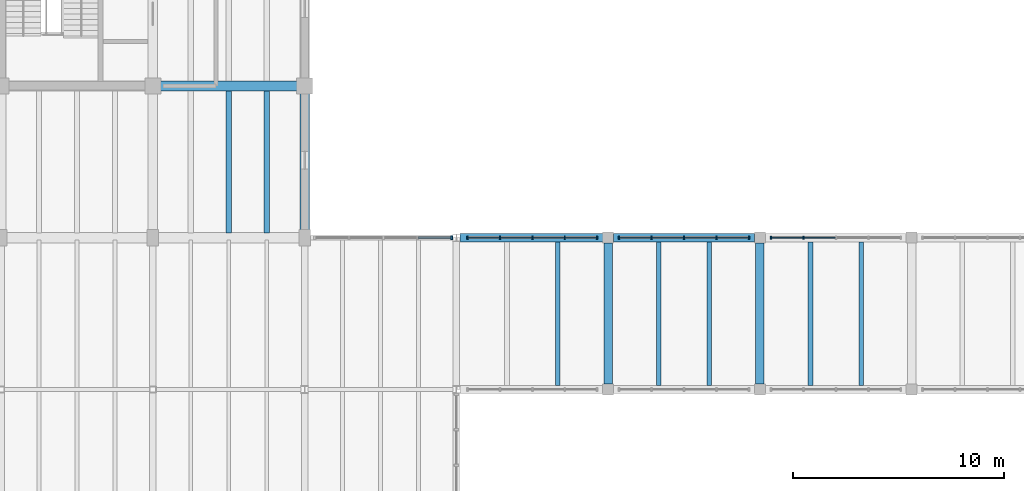
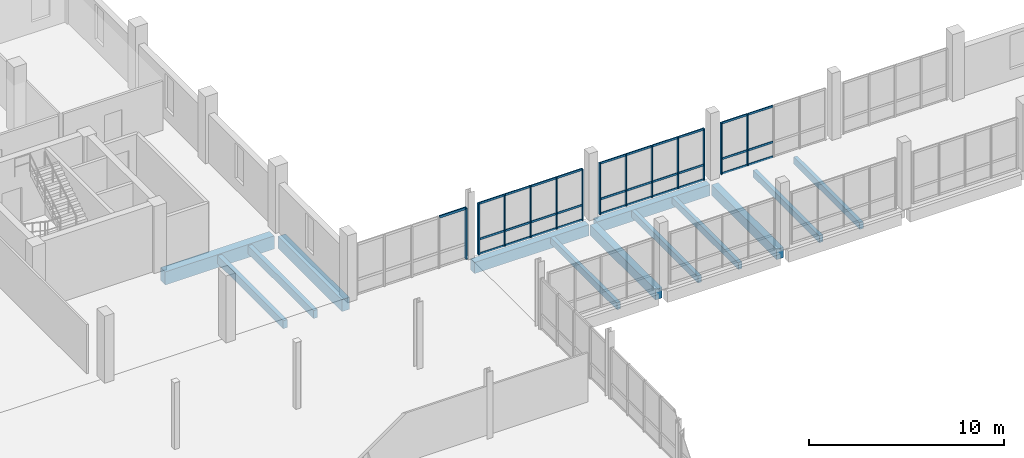
# One storey, part 35 of 72: 44 members, 13 beams, 4 elements without a shape of their own.
"""IFC4 building model written with IfcOpenShell, lengths in metres."""

import ifcopenshell
import ifcopenshell.guid

model = None  # the IFC model being written
_history = None  # IfcOwnerHistory: only IFC2X3 demands one
_inside = {}  # id of a spatial element -> (the spatial element, [elements in it])
_under = {}  # id of a project, library or spatial element -> (it, [spatial elements below it])
_declared = {}  # id of a project -> (the project, [libraries it declares])
_typed = {}  # id of a type object -> (the type object, [elements of that type])
_made_of = {}  # id of a material, layer set ... -> (it, [elements and type objects made of it])


def new_model(schema):
    """Start an empty IFC model of exactly this schema.

    Asked for "IFC4X3", IfcOpenShell would pick the latest addendum, in which some entities
    have other attributes; the version numbers below select the first issue.
    IFC2X3 requires an IfcOwnerHistory on every rooted entity: one is made here for all.
    """
    global model, _history
    if schema == "IFC4X3":
        model = ifcopenshell.file(schema_version=(4, 3, 0, 0))
    else:
        model = ifcopenshell.file(schema=schema)
    _inside.clear()
    _under.clear()
    _declared.clear()
    _typed.clear()
    _made_of.clear()
    _history = None
    if model.schema == "IFC2X3":
        org = make("IfcOrganization", Name="unknown")
        user = make(
            "IfcPersonAndOrganization",
            ThePerson=make("IfcPerson", FamilyName="unknown"),
            TheOrganization=org,
        )
        app = make(
            "IfcApplication",
            ApplicationDeveloper=org,
            Version="unknown",
            ApplicationFullName="unknown",
            ApplicationIdentifier="unknown",
        )
        _history = make(
            "IfcOwnerHistory",
            OwningUser=user,
            OwningApplication=app,
            ChangeAction="ADDED",
            CreationDate=0,
        )
    return model


def make(cls, **values):
    """One entity of the class cls with the attributes given. An attribute that is None is left unset."""
    return model.create_entity(
        cls, **{name: value for name, value in values.items() if value is not None}
    )


def rooted(cls, **values):
    """An entity with a GlobalId (a new one), such as an element, a storey or a relation."""
    return make(cls, GlobalId=ifcopenshell.guid.new(), OwnerHistory=_history, **values)


def si_unit(unit_type, name, prefix=None):
    """IfcSIUnit, for example si_unit("LENGTHUNIT", "METRE", prefix="MILLI")."""
    return make("IfcSIUnit", UnitType=unit_type, Prefix=prefix, Name=name)


def assignment(units):
    """IfcUnitAssignment: the units of a project."""
    return None if units is None else make("IfcUnitAssignment", Units=units)


def point(xyz):
    """IfcCartesianPoint."""
    return None if xyz is None else make("IfcCartesianPoint", Coordinates=xyz)


def direction(xyz):
    """IfcDirection."""
    return None if xyz is None else make("IfcDirection", DirectionRatios=xyz)


def frame(location, z_axis=None, x_axis=None):
    """IfcAxis2Placement3D, a coordinate frame: its origin and axes. An axis left out is left unset."""
    return make(
        "IfcAxis2Placement3D",
        Location=point(location),
        Axis=direction(z_axis),
        RefDirection=direction(x_axis),
    )


def frame_2d(location, x_axis=None):
    """IfcAxis2Placement2D, a coordinate frame in the plane: its origin and x axis."""
    return make(
        "IfcAxis2Placement2D", Location=point(location), RefDirection=direction(x_axis)
    )


def origin():
    """The frame at (0, 0, 0) with its axes left unset."""
    return frame((0.0, 0.0, 0.0))


def origin_2d():
    """The frame at (0, 0) in the plane with its x axis left unset."""
    return frame_2d((0.0, 0.0))


def place(relative_to, where):
    """IfcLocalPlacement: puts the frame where relative to a parent placement (None: the world)."""
    return make(
        "IfcLocalPlacement", PlacementRelTo=relative_to, RelativePlacement=where
    )


def context(
    kind, dimensions, precision=None, world=None, true_north=None, identifier=None
):
    """IfcGeometricRepresentationContext, for example the 3D "Model" context."""
    return make(
        "IfcGeometricRepresentationContext",
        ContextIdentifier=identifier,
        ContextType=kind,
        CoordinateSpaceDimension=dimensions,
        Precision=precision,
        WorldCoordinateSystem=world,
        TrueNorth=true_north,
    )


def subcontext(parent, identifier, kind, view, scale=None):
    """IfcGeometricRepresentationSubContext, for example "Body" below "Model"."""
    return make(
        "IfcGeometricRepresentationSubContext",
        ContextIdentifier=identifier,
        ContextType=kind,
        ParentContext=parent,
        TargetScale=scale,
        TargetView=view,
    )


def project(units=None, contexts=None):
    """IfcProject with its units and contexts."""
    return rooted(
        "IfcProject",
        Name="project",
        RepresentationContexts=contexts,
        UnitsInContext=assignment(units),
    )


def spatial(cls, under=None, at=None, **own):
    """A site, building, storey or space (cls), placed at a placement, below another one or the project."""
    s = rooted(cls, ObjectPlacement=at, **own)
    if under is not None:
        _under.setdefault(under.id(), (under, []))[1].append(s)
    return s


def profile(cls, at=None, kind="AREA", **sizes):
    """A parametric profile (cls). Its sizes go by their IFC names, for example OverallWidth=200.0."""
    return make(cls, ProfileType=kind, Position=at, **sizes)


def rectangle(**sizes):
    """IfcRectangleProfileDef."""
    return profile("IfcRectangleProfileDef", **sizes)


def extrude(swept, where, along, depth):
    """IfcExtrudedAreaSolid: the profile swept, set in the frame where, extruded along a direction by depth."""
    return make(
        "IfcExtrudedAreaSolid",
        SweptArea=swept,
        Position=where,
        ExtrudedDirection=direction(along),
        Depth=depth,
    )


def shape(context_of_items, identifier, shape_type, items):
    """IfcShapeRepresentation: the items that make up one representation, for example the "Body"."""
    return make(
        "IfcShapeRepresentation",
        ContextOfItems=context_of_items,
        RepresentationIdentifier=identifier,
        RepresentationType=shape_type,
        Items=items,
    )


def material(Name=None, Category=None):
    """IfcMaterial."""
    return make("IfcMaterial", Name=Name, Category=Category)


def material_profile(
    of_material, cross_section, Name=None, Category=None, Priority=None
):
    """IfcMaterialProfile: a cross section and its material."""
    return make(
        "IfcMaterialProfile",
        Name=Name,
        Material=of_material,
        Profile=cross_section,
        Priority=Priority,
        Category=Category,
    )


def profile_set(profiles, Name=None, composite=None):
    """IfcMaterialProfileSet."""
    return make(
        "IfcMaterialProfileSet",
        Name=Name,
        MaterialProfiles=profiles,
        CompositeProfile=composite,
    )


def made_of(thing, what):
    """Note that an element or type object is made of a material, layer set ...; save() writes the relation."""
    if what is not None:
        _made_of.setdefault(what.id(), (what, []))[1].append(thing)
    return thing


def type_object(cls, material=None, **own):
    """A type object (cls), such as IfcWallType, which elements share."""
    return made_of(rooted(cls, **own), material)


def element(
    cls,
    number,
    at=None,
    inside=None,
    cuts=None,
    type_object=None,
    material=None,
    context=None,
    identifier="Body",
    shape_type=None,
    held_by="IfcProductDefinitionShape",
    body=None,
    shapes=None,
    **own,
):
    """One element of the class cls, such as IfcWall. Its Tag is "e" and its number.

    at: its placement. inside: the storey or other place that contains it. cuts: it is an
    opening in that element (IfcRelVoidsElement). A single representation is given by context,
    identifier, shape_type and body (its items); several are given by shapes. held_by: the class
    of the entity that holds the representations. save() writes the other relations.
    """
    e = rooted(cls, Tag="e%d" % number, ObjectPlacement=at, **own)
    if body is not None:
        shapes = [shape(context, identifier, shape_type, body)]
    if shapes is not None:
        e.Representation = make(held_by, Representations=shapes)
    if inside is not None:
        _inside.setdefault(inside.id(), (inside, []))[1].append(e)
    if cuts is not None:
        rooted(
            "IfcRelVoidsElement", RelatingBuildingElement=cuts, RelatedOpeningElement=e
        )
    if type_object is not None:
        _typed.setdefault(type_object.id(), (type_object, []))[1].append(e)
    return made_of(e, material)


def aggregate(whole, parts):
    """IfcRelAggregates: a whole, such as a stair, and the parts it consists of."""
    return rooted("IfcRelAggregates", RelatingObject=whole, RelatedObjects=parts)


def save(model, path):
    """Write the relations noted so far, then the file.

    IfcRelAggregates (storeys below a building ...), IfcRelContainedInSpatialStructure (elements
    in a storey), IfcRelDefinesByType, IfcRelAssociatesMaterial and IfcRelDeclares: one each for
    every whole, place, type object, material and project.
    """
    for whole, parts in _under.values():
        aggregate(whole, parts)
    for where, things in _inside.values():
        rooted(
            "IfcRelContainedInSpatialStructure",
            RelatedElements=things,
            RelatingStructure=where,
        )
    for kind, things in _typed.values():
        rooted("IfcRelDefinesByType", RelatedObjects=things, RelatingType=kind)
    for what, things in _made_of.values():
        rooted("IfcRelAssociatesMaterial", RelatedObjects=things, RelatingMaterial=what)
    for by, libraries in _declared.values():
        rooted("IfcRelDeclares", RelatingContext=by, RelatedDefinitions=libraries)
    model.write(path)


model = new_model("IFC4")

# Units and contexts
model_context = context("Model", 3, precision=1e-05, world=origin(), true_north=direction((0.0, 1.0)))
body_context = subcontext(model_context, "Body", "Model", "MODEL_VIEW")
ifc_project = project(units=[si_unit("LENGTHUNIT", "METRE"), si_unit("AREAUNIT", "SQUARE_METRE"), si_unit("VOLUMEUNIT", "CUBIC_METRE"), si_unit("PLANEANGLEUNIT", "RADIAN"), si_unit("MASSUNIT", "GRAM", prefix="KILO")], contexts=[model_context])

# Site, building, storey
site_placement = place(None, origin())
site = spatial("IfcSite", under=ifc_project, at=site_placement, CompositionType="ELEMENT")
building_placement = place(site_placement, origin())
building = spatial("IfcBuilding", under=site, at=building_placement, Name="Qiaolan Assembly House", CompositionType="ELEMENT")
storey_placement = place(building_placement, frame((0.0, 0.0, 10.199951171875)))
storey = spatial("IfcBuildingStorey", under=building, at=storey_placement, Name="L02", CompositionType="ELEMENT", Elevation=10.199951171875)

# Beams
ifc_material_1 = material(Name="Concrete C40/50", Category="concrete")
ifc_material_profile_1 = material_profile(ifc_material_1, rectangle(XDim=0.39990234375, YDim=0.64990234375, at=origin_2d()), Name="RCB 400x650")
ifc_profile_set_1 = profile_set([ifc_material_profile_1], Name="Concrete C40/50")
beam_type_1 = type_object("IfcBeamType", Name="BM-RC-400x650", PredefinedType="BEAM", material=ifc_profile_set_1)
for number, where, z_axis, x_axis, name in (
    (1, (115.199951171875, 79.449951171875, -0.594970703125), (0.0, 1.0, 0.0), (-1.0, 0.0, 0.0), "GB-06 beam BMY-CLN-L02-01-00"),
    (2, (122.39990234375, 79.449951171875, -0.594970703125), (0.0, 1.0, 0.0), (-1.0, 0.0, 0.0), "GB-06 beam BMY-CLN-L02-02-00"),
):
    element("IfcBeam", number, at=place(storey_placement, frame(where, z_axis=z_axis, x_axis=x_axis)), inside=storey, type_object=beam_type_1, Name=name, PredefinedType="BEAM", context=body_context, shape_type="SweptSolid", body=[
        extrude(rectangle(XDim=0.39990234375, YDim=0.64990234375, at=origin_2d()), origin(), (0.0, 0.0, 1.0), 6.699951171875),
    ])
ifc_material_profile_2 = material_profile(ifc_material_1, rectangle(XDim=0.39990234375, YDim=0.699951171875, at=origin_2d()), Name="RCB 400x700")
ifc_profile_set_2 = profile_set([ifc_material_profile_2], Name="Concrete C40/50")
beam_type_2 = type_object("IfcBeamType", Name="BM-RC-400x700", PredefinedType="BEAM", material=ifc_profile_set_2)
beam_1_placement = place(storey_placement, frame((108.1650390625, 86.39990234375, -0.619873046875), z_axis=(1.0, 0.0, 0.0), x_axis=(0.0, 1.0, 0.0)))
element("IfcBeam", 3, at=beam_1_placement, inside=storey, type_object=beam_type_2, Name="GB-05 beam BMX-CLN-L02-00-01", PredefinedType="BEAM", context=body_context, shape_type="SweptSolid", body=[
    extrude(rectangle(XDim=0.39990234375, YDim=0.699951171875, at=origin_2d()), origin(), (0.0, 0.0, 1.0), 6.784912109375),
])
beam_2_placement = place(storey_placement, frame((115.449951171875, 86.39990234375, -0.619873046875), z_axis=(1.0, 0.0, 0.0), x_axis=(0.0, 1.0, 0.0)))
element("IfcBeam", 4, at=beam_2_placement, inside=storey, type_object=beam_type_2, Name="GB-05 beam BMX-CLN-L02-01-01", PredefinedType="BEAM", context=body_context, shape_type="SweptSolid", body=[
    extrude(rectangle(XDim=0.39990234375, YDim=0.699951171875, at=origin_2d()), origin(), (0.0, 0.0, 1.0), 6.699951171875),
])
ifc_material_profile_3 = material_profile(ifc_material_1, rectangle(XDim=0.449951171875, YDim=0.75, at=origin_2d()), Name="RCB 450x750")
ifc_profile_set_3 = profile_set([ifc_material_profile_3], Name="Concrete C40/50")
beam_type_3 = type_object("IfcBeamType", Name="BM-RC-450x750", PredefinedType="BEAM", material=ifc_profile_set_3)
beam_3_placement = place(storey_placement, frame((100.800048828125, 86.6650390625, -0.60498046875), z_axis=(0.0, 1.0, 0.0), x_axis=(-1.0, 0.0, 0.0)))
element("IfcBeam", 5, at=beam_3_placement, inside=storey, type_object=beam_type_3, Name="GB-04 beam BMY-NW-L02-09-00", PredefinedType="BEAM", context=body_context, shape_type="SweptSolid", body=[
    extrude(rectangle(XDim=0.449951171875, YDim=0.75, at=origin_2d()), origin(), (0.0, 0.0, 1.0), 6.570068359375),
])
ifc_material_2 = material(Name="Concrete C45/55", Category="concrete")
ifc_material_profile_4 = material_profile(ifc_material_2, rectangle(XDim=0.47998046875, YDim=0.820068359375, at=origin_2d()), Name="RCB 480x820")
ifc_profile_set_4 = profile_set([ifc_material_profile_4], Name="Concrete C45/55")
beam_type_4 = type_object("IfcBeamType", Name="BM-RC-480x820", PredefinedType="BEAM", material=ifc_profile_set_4)
beam_4_placement = place(storey_placement, frame((93.965087890625, 93.60009765625, -0.639892578125), z_axis=(1.0, 0.0, 0.0), x_axis=(0.0, 1.0, 0.0)))
element("IfcBeam", 6, at=beam_4_placement, inside=storey, type_object=beam_type_4, Name="GB-14 beam BMX-NW-L02-08-01", PredefinedType="BEAM", context=body_context, shape_type="SweptSolid", body=[
    extrude(rectangle(XDim=0.47998046875, YDim=0.820068359375, at=origin_2d()), origin(), (0.0, 0.0, 1.0), 6.469970703125),
])

# Curtain wall, members
ifc_material_3 = material(Name="Anodised bronze aluminium", Category="aluminium")
curtain_wall_type_1 = type_object("IfcCurtainWallType", Name="CW-CLOISTER-420", PredefinedType="NOTDEFINED", material=ifc_material_3)
curtain_wall_1_placement = place(storey_placement, origin())
curtain_wall_1 = element("IfcCurtainWall", 7, at=curtain_wall_1_placement, inside=storey, type_object=curtain_wall_type_1, Name="CW-05 North Cloister outer arcade L02-1", PredefinedType="NOTDEFINED")
ifc_material_profile_5 = material_profile(ifc_material_3, rectangle(XDim=0.070068359375, YDim=0.155029296875, at=origin_2d()), Name="MUL 70x155")
ifc_profile_set_5 = profile_set([ifc_material_profile_5], Name="Anodised bronze aluminium")
member_type_1 = type_object("IfcMemberType", Name="CW-CLOISTER-420-MUL", PredefinedType="MULLION", material=ifc_profile_set_5)
member_1_placement = place(storey_placement, frame((114.679931640625, 86.39990234375, 0.0), z_axis=(0.0, 0.0, 1.0), x_axis=(-1.0, 0.0, 0.0)))
member_1 = element("IfcMember", 8, at=member_1_placement, type_object=member_type_1, Name="ML-06 mullion CW-CLN-OUT-L02-0-1", PredefinedType="MULLION", context=body_context, shape_type="SweptSolid", body=[
    extrude(rectangle(XDim=0.070068359375, YDim=0.155029296875, at=origin_2d()), origin(), (0.0, 0.0, 1.0), 3.219970703125),
])
member_2_placement = place(storey_placement, frame((113.139892578125, 86.39990234375, 0.0), z_axis=(0.0, 0.0, 1.0), x_axis=(-1.0, 0.0, 0.0)))
member_2 = element("IfcMember", 9, at=member_2_placement, type_object=member_type_1, Name="ML-06 mullion CW-CLN-OUT-L02-0-2", PredefinedType="MULLION", context=body_context, shape_type="SweptSolid", body=[
    extrude(rectangle(XDim=0.070068359375, YDim=0.155029296875, at=origin_2d()), origin(), (0.0, 0.0, 1.0), 3.219970703125),
])
member_3_placement = place(storey_placement, frame((111.60009765625, 86.39990234375, 0.0), z_axis=(0.0, 0.0, 1.0), x_axis=(-1.0, 0.0, 0.0)))
member_3 = element("IfcMember", 10, at=member_3_placement, type_object=member_type_1, Name="ML-06 mullion CW-CLN-OUT-L02-0-3", PredefinedType="MULLION", context=body_context, shape_type="SweptSolid", body=[
    extrude(rectangle(XDim=0.070068359375, YDim=0.155029296875, at=origin_2d()), origin(), (0.0, 0.0, 1.0), 3.219970703125),
])
member_4_placement = place(storey_placement, frame((110.06005859375, 86.39990234375, 0.0), z_axis=(0.0, 0.0, 1.0), x_axis=(-1.0, 0.0, 0.0)))
member_4 = element("IfcMember", 11, at=member_4_placement, type_object=member_type_1, Name="ML-06 mullion CW-CLN-OUT-L02-0-4", PredefinedType="MULLION", context=body_context, shape_type="SweptSolid", body=[
    extrude(rectangle(XDim=0.070068359375, YDim=0.155029296875, at=origin_2d()), origin(), (0.0, 0.0, 1.0), 3.219970703125),
])
member_5_placement = place(storey_placement, frame((108.52001953125, 86.39990234375, 0.0), z_axis=(0.0, 0.0, 1.0), x_axis=(-1.0, 0.0, 0.0)))
member_5 = element("IfcMember", 12, at=member_5_placement, type_object=member_type_1, Name="ML-06 mullion CW-CLN-OUT-L02-0-5", PredefinedType="MULLION", context=body_context, shape_type="SweptSolid", body=[
    extrude(rectangle(XDim=0.070068359375, YDim=0.155029296875, at=origin_2d()), origin(), (0.0, 0.0, 1.0), 3.219970703125),
])

curtain_wall_2_placement = place(storey_placement, origin())
curtain_wall_2 = element("IfcCurtainWall", 13, at=curtain_wall_2_placement, inside=storey, type_object=curtain_wall_type_1, Name="CW-05 North Cloister outer arcade L02-2", PredefinedType="NOTDEFINED")
member_6_placement = place(storey_placement, frame((121.8798828125, 86.39990234375, 0.0), z_axis=(0.0, 0.0, 1.0), x_axis=(-1.0, 0.0, 0.0)))
member_6 = element("IfcMember", 14, at=member_6_placement, type_object=member_type_1, Name="ML-06 mullion CW-CLN-OUT-L02-1-1", PredefinedType="MULLION", context=body_context, shape_type="SweptSolid", body=[
    extrude(rectangle(XDim=0.070068359375, YDim=0.155029296875, at=origin_2d()), origin(), (0.0, 0.0, 1.0), 3.219970703125),
])
member_7_placement = place(storey_placement, frame((120.340087890625, 86.39990234375, 0.0), z_axis=(0.0, 0.0, 1.0), x_axis=(-1.0, 0.0, 0.0)))
member_7 = element("IfcMember", 15, at=member_7_placement, type_object=member_type_1, Name="ML-06 mullion CW-CLN-OUT-L02-1-2", PredefinedType="MULLION", context=body_context, shape_type="SweptSolid", body=[
    extrude(rectangle(XDim=0.070068359375, YDim=0.155029296875, at=origin_2d()), origin(), (0.0, 0.0, 1.0), 3.219970703125),
])
member_8_placement = place(storey_placement, frame((118.800048828125, 86.39990234375, 0.0), z_axis=(0.0, 0.0, 1.0), x_axis=(-1.0, 0.0, 0.0)))
member_8 = element("IfcMember", 16, at=member_8_placement, type_object=member_type_1, Name="ML-06 mullion CW-CLN-OUT-L02-1-3", PredefinedType="MULLION", context=body_context, shape_type="SweptSolid", body=[
    extrude(rectangle(XDim=0.070068359375, YDim=0.155029296875, at=origin_2d()), origin(), (0.0, 0.0, 1.0), 3.219970703125),
])
member_9_placement = place(storey_placement, frame((117.260009765625, 86.39990234375, 0.0), z_axis=(0.0, 0.0, 1.0), x_axis=(-1.0, 0.0, 0.0)))
member_9 = element("IfcMember", 17, at=member_9_placement, type_object=member_type_1, Name="ML-06 mullion CW-CLN-OUT-L02-1-4", PredefinedType="MULLION", context=body_context, shape_type="SweptSolid", body=[
    extrude(rectangle(XDim=0.070068359375, YDim=0.155029296875, at=origin_2d()), origin(), (0.0, 0.0, 1.0), 3.219970703125),
])
member_10_placement = place(storey_placement, frame((115.719970703125, 86.39990234375, 0.0), z_axis=(0.0, 0.0, 1.0), x_axis=(-1.0, 0.0, 0.0)))
member_10 = element("IfcMember", 18, at=member_10_placement, type_object=member_type_1, Name="ML-06 mullion CW-CLN-OUT-L02-1-5", PredefinedType="MULLION", context=body_context, shape_type="SweptSolid", body=[
    extrude(rectangle(XDim=0.070068359375, YDim=0.155029296875, at=origin_2d()), origin(), (0.0, 0.0, 1.0), 3.219970703125),
])

curtain_wall_3_placement = place(storey_placement, origin())
curtain_wall_3 = element("IfcCurtainWall", 19, at=curtain_wall_3_placement, inside=storey, type_object=curtain_wall_type_1, Name="CW-05 North Cloister outer arcade L02-3", PredefinedType="NOTDEFINED")
member_11_placement = place(storey_placement, frame((124.4599609375, 86.39990234375, 0.0), z_axis=(0.0, 0.0, 1.0), x_axis=(-1.0, 0.0, 0.0)))
member_11 = element("IfcMember", 20, at=member_11_placement, type_object=member_type_1, Name="ML-06 mullion CW-CLN-OUT-L02-2-4", PredefinedType="MULLION", context=body_context, shape_type="SweptSolid", body=[
    extrude(rectangle(XDim=0.070068359375, YDim=0.155029296875, at=origin_2d()), origin(), (0.0, 0.0, 1.0), 3.219970703125),
])
member_12_placement = place(storey_placement, frame((122.919921875, 86.39990234375, 0.0), z_axis=(0.0, 0.0, 1.0), x_axis=(-1.0, 0.0, 0.0)))
member_12 = element("IfcMember", 21, at=member_12_placement, type_object=member_type_1, Name="ML-06 mullion CW-CLN-OUT-L02-2-5", PredefinedType="MULLION", context=body_context, shape_type="SweptSolid", body=[
    extrude(rectangle(XDim=0.070068359375, YDim=0.155029296875, at=origin_2d()), origin(), (0.0, 0.0, 1.0), 3.219970703125),
])

# Member
ifc_material_profile_6 = material_profile(ifc_material_3, rectangle(XDim=0.06201171875, YDim=0.125, at=origin_2d()), Name="TRN 62x125")
ifc_profile_set_6 = profile_set([ifc_material_profile_6], Name="Anodised bronze aluminium")
member_type_2 = type_object("IfcMemberType", Name="CW-CLOISTER-420-TRN", PredefinedType="USERDEFINED", material=ifc_profile_set_6)
member_13_placement = place(storey_placement, frame((114.64501953125, 86.39990234375, 0.030029296875), z_axis=(-1.0, 0.0, 0.0), x_axis=(0.0, -1.0, 0.0)))
member_13 = element("IfcMember", 22, at=member_13_placement, type_object=member_type_2, Name="TR-06 transom CW-CLN-OUT-L02-0-1-1", ObjectType="TRANSOM", PredefinedType="USERDEFINED", context=body_context, shape_type="SweptSolid", body=[
    extrude(rectangle(XDim=0.06201171875, YDim=0.125, at=origin_2d()), origin(), (0.0, 0.0, 1.0), 1.469970703125),
])

member_14_placement = place(storey_placement, frame((114.64501953125, 86.39990234375, 0.949951171875), z_axis=(-1.0, 0.0, 0.0), x_axis=(0.0, -1.0, 0.0)))
member_14 = element("IfcMember", 23, at=member_14_placement, type_object=member_type_2, Name="TR-06 transom CW-CLN-OUT-L02-0-1-2", ObjectType="TRANSOM", PredefinedType="USERDEFINED", context=body_context, shape_type="SweptSolid", body=[
    extrude(rectangle(XDim=0.06201171875, YDim=0.125, at=origin_2d()), origin(), (0.0, 0.0, 1.0), 1.469970703125),
])

member_15_placement = place(storey_placement, frame((114.64501953125, 86.39990234375, 3.18994140625), z_axis=(-1.0, 0.0, 0.0), x_axis=(0.0, -1.0, 0.0)))
member_15 = element("IfcMember", 24, at=member_15_placement, type_object=member_type_2, Name="TR-06 transom CW-CLN-OUT-L02-0-1-3", ObjectType="TRANSOM", PredefinedType="USERDEFINED", context=body_context, shape_type="SweptSolid", body=[
    extrude(rectangle(XDim=0.06201171875, YDim=0.125, at=origin_2d()), origin(), (0.0, 0.0, 1.0), 1.469970703125),
])

member_16_placement = place(storey_placement, frame((113.10498046875, 86.39990234375, 0.030029296875), z_axis=(-1.0, 0.0, 0.0), x_axis=(0.0, -1.0, 0.0)))
member_16 = element("IfcMember", 25, at=member_16_placement, type_object=member_type_2, Name="TR-06 transom CW-CLN-OUT-L02-0-2-1", ObjectType="TRANSOM", PredefinedType="USERDEFINED", context=body_context, shape_type="SweptSolid", body=[
    extrude(rectangle(XDim=0.06201171875, YDim=0.125, at=origin_2d()), origin(), (0.0, 0.0, 1.0), 1.469970703125),
])

member_17_placement = place(storey_placement, frame((113.10498046875, 86.39990234375, 0.949951171875), z_axis=(-1.0, 0.0, 0.0), x_axis=(0.0, -1.0, 0.0)))
member_17 = element("IfcMember", 26, at=member_17_placement, type_object=member_type_2, Name="TR-06 transom CW-CLN-OUT-L02-0-2-2", ObjectType="TRANSOM", PredefinedType="USERDEFINED", context=body_context, shape_type="SweptSolid", body=[
    extrude(rectangle(XDim=0.06201171875, YDim=0.125, at=origin_2d()), origin(), (0.0, 0.0, 1.0), 1.469970703125),
])

member_18_placement = place(storey_placement, frame((113.10498046875, 86.39990234375, 3.18994140625), z_axis=(-1.0, 0.0, 0.0), x_axis=(0.0, -1.0, 0.0)))
member_18 = element("IfcMember", 27, at=member_18_placement, type_object=member_type_2, Name="TR-06 transom CW-CLN-OUT-L02-0-2-3", ObjectType="TRANSOM", PredefinedType="USERDEFINED", context=body_context, shape_type="SweptSolid", body=[
    extrude(rectangle(XDim=0.06201171875, YDim=0.125, at=origin_2d()), origin(), (0.0, 0.0, 1.0), 1.469970703125),
])

member_19_placement = place(storey_placement, frame((111.56494140625, 86.39990234375, 0.030029296875), z_axis=(-1.0, 0.0, 0.0), x_axis=(0.0, -1.0, 0.0)))
member_19 = element("IfcMember", 28, at=member_19_placement, type_object=member_type_2, Name="TR-06 transom CW-CLN-OUT-L02-0-3-1", ObjectType="TRANSOM", PredefinedType="USERDEFINED", context=body_context, shape_type="SweptSolid", body=[
    extrude(rectangle(XDim=0.06201171875, YDim=0.125, at=origin_2d()), origin(), (0.0, 0.0, 1.0), 1.469970703125),
])

member_20_placement = place(storey_placement, frame((111.56494140625, 86.39990234375, 0.949951171875), z_axis=(-1.0, 0.0, 0.0), x_axis=(0.0, -1.0, 0.0)))
member_20 = element("IfcMember", 29, at=member_20_placement, type_object=member_type_2, Name="TR-06 transom CW-CLN-OUT-L02-0-3-2", ObjectType="TRANSOM", PredefinedType="USERDEFINED", context=body_context, shape_type="SweptSolid", body=[
    extrude(rectangle(XDim=0.06201171875, YDim=0.125, at=origin_2d()), origin(), (0.0, 0.0, 1.0), 1.469970703125),
])

member_21_placement = place(storey_placement, frame((111.56494140625, 86.39990234375, 3.18994140625), z_axis=(-1.0, 0.0, 0.0), x_axis=(0.0, -1.0, 0.0)))
member_21 = element("IfcMember", 30, at=member_21_placement, type_object=member_type_2, Name="TR-06 transom CW-CLN-OUT-L02-0-3-3", ObjectType="TRANSOM", PredefinedType="USERDEFINED", context=body_context, shape_type="SweptSolid", body=[
    extrude(rectangle(XDim=0.06201171875, YDim=0.125, at=origin_2d()), origin(), (0.0, 0.0, 1.0), 1.469970703125),
])

member_22_placement = place(storey_placement, frame((110.02490234375, 86.39990234375, 0.030029296875), z_axis=(-1.0, 0.0, 0.0), x_axis=(0.0, -1.0, 0.0)))
member_22 = element("IfcMember", 31, at=member_22_placement, type_object=member_type_2, Name="TR-06 transom CW-CLN-OUT-L02-0-4-1", ObjectType="TRANSOM", PredefinedType="USERDEFINED", context=body_context, shape_type="SweptSolid", body=[
    extrude(rectangle(XDim=0.06201171875, YDim=0.125, at=origin_2d()), origin(), (0.0, 0.0, 1.0), 1.469970703125),
])

member_23_placement = place(storey_placement, frame((110.02490234375, 86.39990234375, 0.949951171875), z_axis=(-1.0, 0.0, 0.0), x_axis=(0.0, -1.0, 0.0)))
member_23 = element("IfcMember", 32, at=member_23_placement, type_object=member_type_2, Name="TR-06 transom CW-CLN-OUT-L02-0-4-2", ObjectType="TRANSOM", PredefinedType="USERDEFINED", context=body_context, shape_type="SweptSolid", body=[
    extrude(rectangle(XDim=0.06201171875, YDim=0.125, at=origin_2d()), origin(), (0.0, 0.0, 1.0), 1.469970703125),
])

member_24_placement = place(storey_placement, frame((110.02490234375, 86.39990234375, 3.18994140625), z_axis=(-1.0, 0.0, 0.0), x_axis=(0.0, -1.0, 0.0)))
member_24 = element("IfcMember", 33, at=member_24_placement, type_object=member_type_2, Name="TR-06 transom CW-CLN-OUT-L02-0-4-3", ObjectType="TRANSOM", PredefinedType="USERDEFINED", context=body_context, shape_type="SweptSolid", body=[
    extrude(rectangle(XDim=0.06201171875, YDim=0.125, at=origin_2d()), origin(), (0.0, 0.0, 1.0), 1.469970703125),
])

aggregate(curtain_wall_1, [member_1, member_2, member_3, member_4, member_5, member_13, member_14, member_15, member_16, member_17, member_18, member_19, member_20, member_21, member_22, member_23, member_24])

member_25_placement = place(storey_placement, frame((121.844970703125, 86.39990234375, 0.030029296875), z_axis=(-1.0, 0.0, 0.0), x_axis=(0.0, -1.0, 0.0)))
member_25 = element("IfcMember", 34, at=member_25_placement, type_object=member_type_2, Name="TR-06 transom CW-CLN-OUT-L02-1-1-1", ObjectType="TRANSOM", PredefinedType="USERDEFINED", context=body_context, shape_type="SweptSolid", body=[
    extrude(rectangle(XDim=0.06201171875, YDim=0.125, at=origin_2d()), origin(), (0.0, 0.0, 1.0), 1.469970703125),
])

member_26_placement = place(storey_placement, frame((121.844970703125, 86.39990234375, 0.949951171875), z_axis=(-1.0, 0.0, 0.0), x_axis=(0.0, -1.0, 0.0)))
member_26 = element("IfcMember", 35, at=member_26_placement, type_object=member_type_2, Name="TR-06 transom CW-CLN-OUT-L02-1-1-2", ObjectType="TRANSOM", PredefinedType="USERDEFINED", context=body_context, shape_type="SweptSolid", body=[
    extrude(rectangle(XDim=0.06201171875, YDim=0.125, at=origin_2d()), origin(), (0.0, 0.0, 1.0), 1.469970703125),
])

member_27_placement = place(storey_placement, frame((121.844970703125, 86.39990234375, 3.18994140625), z_axis=(-1.0, 0.0, 0.0), x_axis=(0.0, -1.0, 0.0)))
member_27 = element("IfcMember", 36, at=member_27_placement, type_object=member_type_2, Name="TR-06 transom CW-CLN-OUT-L02-1-1-3", ObjectType="TRANSOM", PredefinedType="USERDEFINED", context=body_context, shape_type="SweptSolid", body=[
    extrude(rectangle(XDim=0.06201171875, YDim=0.125, at=origin_2d()), origin(), (0.0, 0.0, 1.0), 1.469970703125),
])

member_28_placement = place(storey_placement, frame((120.304931640625, 86.39990234375, 0.030029296875), z_axis=(-1.0, 0.0, 0.0), x_axis=(0.0, -1.0, 0.0)))
member_28 = element("IfcMember", 37, at=member_28_placement, type_object=member_type_2, Name="TR-06 transom CW-CLN-OUT-L02-1-2-1", ObjectType="TRANSOM", PredefinedType="USERDEFINED", context=body_context, shape_type="SweptSolid", body=[
    extrude(rectangle(XDim=0.06201171875, YDim=0.125, at=origin_2d()), origin(), (0.0, 0.0, 1.0), 1.469970703125),
])

member_29_placement = place(storey_placement, frame((120.304931640625, 86.39990234375, 0.949951171875), z_axis=(-1.0, 0.0, 0.0), x_axis=(0.0, -1.0, 0.0)))
member_29 = element("IfcMember", 38, at=member_29_placement, type_object=member_type_2, Name="TR-06 transom CW-CLN-OUT-L02-1-2-2", ObjectType="TRANSOM", PredefinedType="USERDEFINED", context=body_context, shape_type="SweptSolid", body=[
    extrude(rectangle(XDim=0.06201171875, YDim=0.125, at=origin_2d()), origin(), (0.0, 0.0, 1.0), 1.469970703125),
])

member_30_placement = place(storey_placement, frame((120.304931640625, 86.39990234375, 3.18994140625), z_axis=(-1.0, 0.0, 0.0), x_axis=(0.0, -1.0, 0.0)))
member_30 = element("IfcMember", 39, at=member_30_placement, type_object=member_type_2, Name="TR-06 transom CW-CLN-OUT-L02-1-2-3", ObjectType="TRANSOM", PredefinedType="USERDEFINED", context=body_context, shape_type="SweptSolid", body=[
    extrude(rectangle(XDim=0.06201171875, YDim=0.125, at=origin_2d()), origin(), (0.0, 0.0, 1.0), 1.469970703125),
])

member_31_placement = place(storey_placement, frame((118.764892578125, 86.39990234375, 0.030029296875), z_axis=(-1.0, 0.0, 0.0), x_axis=(0.0, -1.0, 0.0)))
member_31 = element("IfcMember", 40, at=member_31_placement, type_object=member_type_2, Name="TR-06 transom CW-CLN-OUT-L02-1-3-1", ObjectType="TRANSOM", PredefinedType="USERDEFINED", context=body_context, shape_type="SweptSolid", body=[
    extrude(rectangle(XDim=0.06201171875, YDim=0.125, at=origin_2d()), origin(), (0.0, 0.0, 1.0), 1.469970703125),
])

member_32_placement = place(storey_placement, frame((118.764892578125, 86.39990234375, 0.949951171875), z_axis=(-1.0, 0.0, 0.0), x_axis=(0.0, -1.0, 0.0)))
member_32 = element("IfcMember", 41, at=member_32_placement, type_object=member_type_2, Name="TR-06 transom CW-CLN-OUT-L02-1-3-2", ObjectType="TRANSOM", PredefinedType="USERDEFINED", context=body_context, shape_type="SweptSolid", body=[
    extrude(rectangle(XDim=0.06201171875, YDim=0.125, at=origin_2d()), origin(), (0.0, 0.0, 1.0), 1.469970703125),
])

member_33_placement = place(storey_placement, frame((118.764892578125, 86.39990234375, 3.18994140625), z_axis=(-1.0, 0.0, 0.0), x_axis=(0.0, -1.0, 0.0)))
member_33 = element("IfcMember", 42, at=member_33_placement, type_object=member_type_2, Name="TR-06 transom CW-CLN-OUT-L02-1-3-3", ObjectType="TRANSOM", PredefinedType="USERDEFINED", context=body_context, shape_type="SweptSolid", body=[
    extrude(rectangle(XDim=0.06201171875, YDim=0.125, at=origin_2d()), origin(), (0.0, 0.0, 1.0), 1.469970703125),
])

member_34_placement = place(storey_placement, frame((117.22509765625, 86.39990234375, 0.030029296875), z_axis=(-1.0, 0.0, 0.0), x_axis=(0.0, -1.0, 0.0)))
member_34 = element("IfcMember", 43, at=member_34_placement, type_object=member_type_2, Name="TR-06 transom CW-CLN-OUT-L02-1-4-1", ObjectType="TRANSOM", PredefinedType="USERDEFINED", context=body_context, shape_type="SweptSolid", body=[
    extrude(rectangle(XDim=0.06201171875, YDim=0.125, at=origin_2d()), origin(), (0.0, 0.0, 1.0), 1.47021484375),
])

member_35_placement = place(storey_placement, frame((117.22509765625, 86.39990234375, 0.949951171875), z_axis=(-1.0, 0.0, 0.0), x_axis=(0.0, -1.0, 0.0)))
member_35 = element("IfcMember", 44, at=member_35_placement, type_object=member_type_2, Name="TR-06 transom CW-CLN-OUT-L02-1-4-2", ObjectType="TRANSOM", PredefinedType="USERDEFINED", context=body_context, shape_type="SweptSolid", body=[
    extrude(rectangle(XDim=0.06201171875, YDim=0.125, at=origin_2d()), origin(), (0.0, 0.0, 1.0), 1.47021484375),
])

member_36_placement = place(storey_placement, frame((117.22509765625, 86.39990234375, 3.18994140625), z_axis=(-1.0, 0.0, 0.0), x_axis=(0.0, -1.0, 0.0)))
member_36 = element("IfcMember", 45, at=member_36_placement, type_object=member_type_2, Name="TR-06 transom CW-CLN-OUT-L02-1-4-3", ObjectType="TRANSOM", PredefinedType="USERDEFINED", context=body_context, shape_type="SweptSolid", body=[
    extrude(rectangle(XDim=0.06201171875, YDim=0.125, at=origin_2d()), origin(), (0.0, 0.0, 1.0), 1.47021484375),
])

aggregate(curtain_wall_2, [member_6, member_7, member_8, member_9, member_10, member_25, member_26, member_27, member_28, member_29, member_30, member_31, member_32, member_33, member_34, member_35, member_36])

member_37_placement = place(storey_placement, frame((125.965087890625, 86.39990234375, 0.030029296875), z_axis=(-1.0, 0.0, 0.0), x_axis=(0.0, -1.0, 0.0)))
member_37 = element("IfcMember", 46, at=member_37_placement, type_object=member_type_2, Name="TR-06 transom CW-CLN-OUT-L02-2-3-1", ObjectType="TRANSOM", PredefinedType="USERDEFINED", context=body_context, shape_type="SweptSolid", body=[
    extrude(rectangle(XDim=0.06201171875, YDim=0.125, at=origin_2d()), origin(), (0.0, 0.0, 1.0), 1.469970703125),
])

member_38_placement = place(storey_placement, frame((125.965087890625, 86.39990234375, 0.949951171875), z_axis=(-1.0, 0.0, 0.0), x_axis=(0.0, -1.0, 0.0)))
member_38 = element("IfcMember", 47, at=member_38_placement, type_object=member_type_2, Name="TR-06 transom CW-CLN-OUT-L02-2-3-2", ObjectType="TRANSOM", PredefinedType="USERDEFINED", context=body_context, shape_type="SweptSolid", body=[
    extrude(rectangle(XDim=0.06201171875, YDim=0.125, at=origin_2d()), origin(), (0.0, 0.0, 1.0), 1.469970703125),
])

member_39_placement = place(storey_placement, frame((125.965087890625, 86.39990234375, 3.18994140625), z_axis=(-1.0, 0.0, 0.0), x_axis=(0.0, -1.0, 0.0)))
member_39 = element("IfcMember", 48, at=member_39_placement, type_object=member_type_2, Name="TR-06 transom CW-CLN-OUT-L02-2-3-3", ObjectType="TRANSOM", PredefinedType="USERDEFINED", context=body_context, shape_type="SweptSolid", body=[
    extrude(rectangle(XDim=0.06201171875, YDim=0.125, at=origin_2d()), origin(), (0.0, 0.0, 1.0), 1.469970703125),
])

member_40_placement = place(storey_placement, frame((124.425048828125, 86.39990234375, 0.030029296875), z_axis=(-1.0, 0.0, 0.0), x_axis=(0.0, -1.0, 0.0)))
member_40 = element("IfcMember", 49, at=member_40_placement, type_object=member_type_2, Name="TR-06 transom CW-CLN-OUT-L02-2-4-1", ObjectType="TRANSOM", PredefinedType="USERDEFINED", context=body_context, shape_type="SweptSolid", body=[
    extrude(rectangle(XDim=0.06201171875, YDim=0.125, at=origin_2d()), origin(), (0.0, 0.0, 1.0), 1.469970703125),
])

member_41_placement = place(storey_placement, frame((124.425048828125, 86.39990234375, 0.949951171875), z_axis=(-1.0, 0.0, 0.0), x_axis=(0.0, -1.0, 0.0)))
member_41 = element("IfcMember", 50, at=member_41_placement, type_object=member_type_2, Name="TR-06 transom CW-CLN-OUT-L02-2-4-2", ObjectType="TRANSOM", PredefinedType="USERDEFINED", context=body_context, shape_type="SweptSolid", body=[
    extrude(rectangle(XDim=0.06201171875, YDim=0.125, at=origin_2d()), origin(), (0.0, 0.0, 1.0), 1.469970703125),
])

member_42_placement = place(storey_placement, frame((124.425048828125, 86.39990234375, 3.18994140625), z_axis=(-1.0, 0.0, 0.0), x_axis=(0.0, -1.0, 0.0)))
member_42 = element("IfcMember", 51, at=member_42_placement, type_object=member_type_2, Name="TR-06 transom CW-CLN-OUT-L02-2-4-3", ObjectType="TRANSOM", PredefinedType="USERDEFINED", context=body_context, shape_type="SweptSolid", body=[
    extrude(rectangle(XDim=0.06201171875, YDim=0.125, at=origin_2d()), origin(), (0.0, 0.0, 1.0), 1.469970703125),
])

aggregate(curtain_wall_3, [member_11, member_12, member_37, member_38, member_39, member_40, member_41, member_42])

# Curtain wall, members
curtain_wall_type_2 = type_object("IfcCurtainWallType", Name="CW-HALL-UPPER-480", PredefinedType="NOTDEFINED", material=ifc_material_3)
curtain_wall_4_placement = place(storey_placement, origin())
curtain_wall_4 = element("IfcCurtainWall", 52, at=curtain_wall_4_placement, inside=storey, type_object=curtain_wall_type_2, Name="CW-02 Hall North-East link CW L02", PredefinedType="NOTDEFINED")
ifc_material_profile_7 = material_profile(ifc_material_3, rectangle(XDim=0.0859375, YDim=0.199951171875, at=origin_2d()), Name="MUL 86x200")
ifc_profile_set_7 = profile_set([ifc_material_profile_7], Name="Anodised bronze aluminium")
member_type_3 = type_object("IfcMemberType", Name="CW-HALL-UPPER-480-MUL", PredefinedType="MULLION", material=ifc_profile_set_7)
member_43_placement = place(storey_placement, frame((107.780029296875, 86.39990234375, 0.0), z_axis=(0.0, 0.0, 1.0), x_axis=(-1.0, 0.0, 0.0)))
member_43 = element("IfcMember", 53, at=member_43_placement, type_object=member_type_3, Name="ML-02 mullion CW-HALL-NEJ-L02-1", PredefinedType="MULLION", context=body_context, shape_type="SweptSolid", body=[
    extrude(rectangle(XDim=0.0859375, YDim=0.199951171875, at=origin_2d()), origin(), (0.0, 0.0, 1.0), 3.199951171875),
])
ifc_material_profile_8 = material_profile(ifc_material_3, rectangle(XDim=0.075927734375, YDim=0.14990234375, at=origin_2d()), Name="TRN 76x150")
ifc_profile_set_8 = profile_set([ifc_material_profile_8], Name="Anodised bronze aluminium")
member_type_4 = type_object("IfcMemberType", Name="CW-HALL-UPPER-480-TRN", PredefinedType="USERDEFINED", material=ifc_profile_set_8)
member_44_placement = place(storey_placement, frame((107.737060546875, 86.39990234375, 3.170166015625), z_axis=(-1.0, 0.0, 0.0), x_axis=(0.0, -1.0, 0.0)))
member_44 = element("IfcMember", 54, at=member_44_placement, type_object=member_type_4, Name="TR-02 transom CW-HALL-NEJ-L02-1-3", ObjectType="TRANSOM", PredefinedType="USERDEFINED", context=body_context, shape_type="SweptSolid", body=[
    extrude(rectangle(XDim=0.075927734375, YDim=0.14990234375, at=origin_2d()), origin(), (0.0, 0.0, 1.0), 1.5390625),
])
aggregate(curtain_wall_4, [member_43, member_44])

# Beams
ifc_material_profile_9 = material_profile(ifc_material_1, rectangle(XDim=0.219970703125, YDim=0.419921875, at=origin_2d()), Name="RCB 220x420")
ifc_profile_set_9 = profile_set([ifc_material_profile_9], Name="Concrete C40/50")
beam_type_5 = type_object("IfcBeamType", Name="JST-RC-220x420", PredefinedType="JOIST", material=ifc_profile_set_9)
for number, where, z_axis, x_axis, name in (
    (55, (112.800048828125, 79.39404296875, -0.47998046875), (0.0, 1.0, 0.0), (-1.0, 0.0, 0.0), "RJ-03 beam JST-CLN-L02-00-00-2"),
    (56, (117.60009765625, 79.39404296875, -0.47998046875), (0.0, 1.0, 0.0), (-1.0, 0.0, 0.0), "RJ-03 beam JST-CLN-L02-01-00-1"),
    (57, (120.0, 79.39404296875, -0.47998046875), (0.0, 1.0, 0.0), (-1.0, 0.0, 0.0), "RJ-03 beam JST-CLN-L02-01-00-2"),
    (58, (124.800048828125, 79.39404296875, -0.47998046875), (0.0, 1.0, 0.0), (-1.0, 0.0, 0.0), "RJ-03 beam JST-CLN-L02-02-00-1"),
    (59, (127.199951171875, 79.39404296875, -0.47998046875), (0.0, 1.0, 0.0), (-1.0, 0.0, 0.0), "RJ-03 beam JST-CLN-L02-02-00-2"),
):
    element("IfcBeam", number, at=place(storey_placement, frame(where, z_axis=z_axis, x_axis=x_axis)), inside=storey, type_object=beam_type_5, Name=name, PredefinedType="JOIST", context=body_context, shape_type="SweptSolid", body=[
        extrude(rectangle(XDim=0.219970703125, YDim=0.419921875, at=origin_2d()), origin(), (0.0, 0.0, 1.0), 6.81201171875),
    ])
ifc_material_profile_10 = material_profile(ifc_material_1, rectangle(XDim=0.25, YDim=0.5, at=origin_2d()), Name="RCB 250x500")
ifc_profile_set_10 = profile_set([ifc_material_profile_10], Name="Concrete C40/50")
beam_type_6 = type_object("IfcBeamType", Name="JST-RC-250x500", PredefinedType="JOIST", material=ifc_profile_set_10)
for number, where, z_axis, x_axis, name in (
    (60, (97.199951171875, 86.634033203125, -0.550048828125), (0.0, 1.0, 0.0), (-1.0, 0.0, 0.0), "RJ-01 beam JST-NW-L02-08-00-2"),
    (61, (99.0, 86.634033203125, -0.550048828125), (0.0, 1.0, 0.0), (-1.0, 0.0, 0.0), "RJ-01 beam JST-NW-L02-08-00-3"),
):
    element("IfcBeam", number, at=place(storey_placement, frame(where, z_axis=z_axis, x_axis=x_axis)), inside=storey, type_object=beam_type_6, Name=name, PredefinedType="JOIST", context=body_context, shape_type="SweptSolid", body=[
        extrude(rectangle(XDim=0.25, YDim=0.5, at=origin_2d()), origin(), (0.0, 0.0, 1.0), 6.73193359375),
    ])

save(model, "model.ifc")
